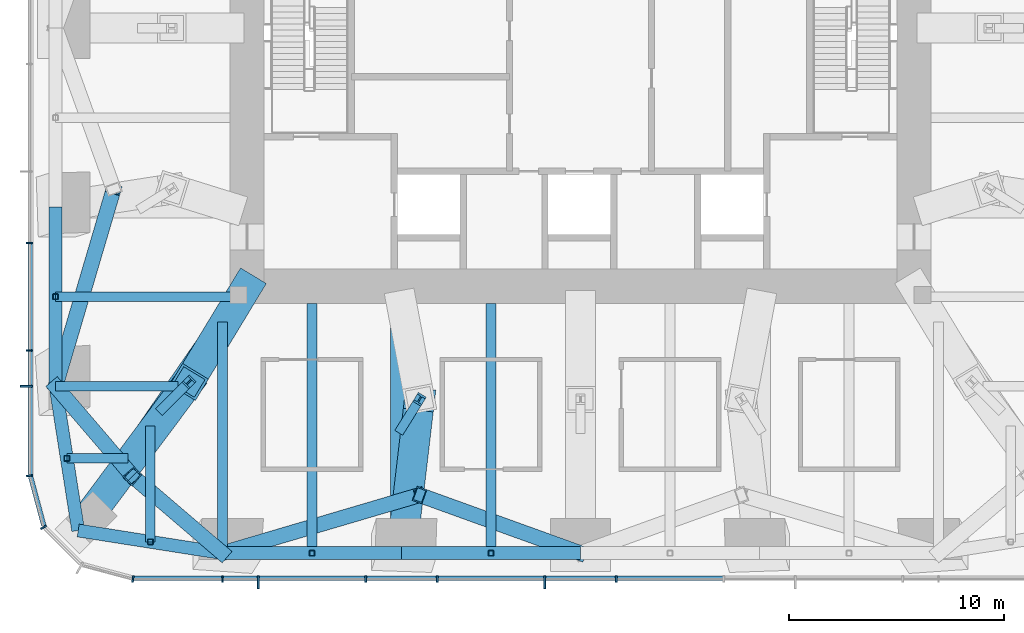
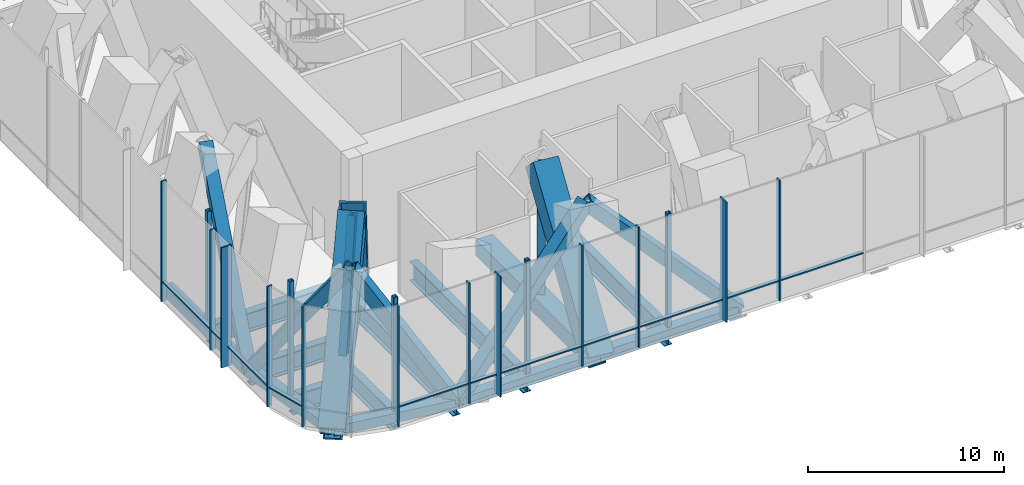
# One storey, part 2 of 16: 45 members, 7 beams, 3 elements without a shape of their own.
"""IFC4 building model written with IfcOpenShell, lengths in metres."""

from ifc_helpers import new_model, si_unit, direction, frame, origin, origin_2d, place, context, subcontext, project, spatial, rectangle, hollow_rectangle, i_section, extrude, material, material_profile, profile_set, type_object, element, aggregate, save


model = new_model("IFC4")

# Units and contexts
model_context = context("Model", 3, precision=1e-05, world=origin(), true_north=direction((0.0, 1.0)))
body_context = subcontext(model_context, "Body", "Model", "MODEL_VIEW")
ifc_project = project(units=[si_unit("LENGTHUNIT", "METRE"), si_unit("AREAUNIT", "SQUARE_METRE"), si_unit("VOLUMEUNIT", "CUBIC_METRE"), si_unit("PLANEANGLEUNIT", "RADIAN"), si_unit("MASSUNIT", "GRAM", prefix="KILO")], contexts=[model_context])

# Site, building, storey
site_placement = place(None, origin())
site = spatial("IfcSite", under=ifc_project, at=site_placement, CompositionType="ELEMENT")
building_placement = place(site_placement, origin())
building = spatial("IfcBuilding", under=site, at=building_placement, Name="Khuree Lantern Residences", CompositionType="ELEMENT")
storey_placement = place(building_placement, frame((0.0, 0.0, 278.25)))
storey = spatial("IfcBuildingStorey", under=building, at=storey_placement, Name="L70", CompositionType="ELEMENT", Elevation=278.25)

# Beams
ifc_material_1 = material(Name="Steel S355", Category="steel")
ifc_material_profile_1 = material_profile(ifc_material_1, i_section(OverallWidth=0.449951171875, OverallDepth=1.199951171875, WebThickness=0.02490234375, FlangeThickness=0.044921875, at=origin_2d()), Name="WELDED I 1200X450X25X45")
ifc_profile_set_1 = profile_set([ifc_material_profile_1], Name="Steel S355")
beam_type_1 = type_object("IfcBeamType", Name="B-70 SECONDARY BEAM WELDED I 1200X450X25X45", PredefinedType="BEAM", material=ifc_profile_set_1)
for number, where, z_axis, x_axis, name in (
    (1, (-4.159912109375, -24.39990234375, -0.949951171875), (0.0, 1.0, 0.0), (-1.0, 0.0, 0.0), "Secondary beam S4"),
    (2, (-12.47998046875, -24.39990234375, -0.949951171875), (0.0, 1.0, 0.0), (-1.0, 0.0, 0.0), "Secondary beam S5"),
):
    element("IfcBeam", number, at=place(storey_placement, frame(where, z_axis=z_axis, x_axis=x_axis)), inside=storey, type_object=beam_type_1, Name=name, PredefinedType="BEAM", context=body_context, shape_type="SweptSolid", body=[
        extrude(i_section(OverallWidth=0.449951171875, OverallDepth=1.199951171875, WebThickness=0.02490234375, FlangeThickness=0.044921875, at=origin_2d()), origin(), (0.0, 0.0, 1.0), 11.599853515625),
    ])
beam_1_placement = place(storey_placement, frame((-19.992919921875, -23.872802734375, -0.949951171875), z_axis=(0.0, 1.0, 0.0), x_axis=(-1.0, 0.0, 0.0)))
element("IfcBeam", 3, at=beam_1_placement, inside=storey, type_object=beam_type_1, Name="Secondary beam S6", PredefinedType="BEAM", context=body_context, shape_type="SweptSolid", body=[
    extrude(i_section(OverallWidth=0.449951171875, OverallDepth=1.199951171875, WebThickness=0.02490234375, FlangeThickness=0.044921875, at=origin_2d()), origin(), (0.0, 0.0, 1.0), 5.375732421875),
])
beam_2_placement = place(storey_placement, frame((-23.872802734375, -19.992919921875, -0.949951171875), z_axis=(1.0, 0.0, 0.0), x_axis=(0.0, 1.0, 0.0)))
element("IfcBeam", 4, at=beam_2_placement, inside=storey, type_object=beam_type_1, Name="Secondary beam W1", PredefinedType="BEAM", context=body_context, shape_type="SweptSolid", body=[
    extrude(i_section(OverallWidth=0.449951171875, OverallDepth=1.199951171875, WebThickness=0.02490234375, FlangeThickness=0.044921875, at=origin_2d()), origin(), (0.0, 0.0, 1.0), 2.845703125),
])
beam_3_placement = place(storey_placement, frame((-24.39990234375, -12.47998046875, -0.949951171875), z_axis=(1.0, 0.0, 0.0), x_axis=(0.0, 1.0, 0.0)))
element("IfcBeam", 5, at=beam_3_placement, inside=storey, type_object=beam_type_1, Name="Secondary beam W2", PredefinedType="BEAM", context=body_context, shape_type="SweptSolid", body=[
    extrude(i_section(OverallWidth=0.449951171875, OverallDepth=1.199951171875, WebThickness=0.02490234375, FlangeThickness=0.044921875, at=origin_2d()), origin(), (0.0, 0.0, 1.0), 8.56787109375),
])

# Members
ifc_material_profile_2 = material_profile(ifc_material_1, hollow_rectangle(XDim=0.699951171875, YDim=0.699951171875, WallThickness=0.06005859375, at=origin_2d()), Name="WELDED BOX 700X700X60")
ifc_profile_set_2 = profile_set([ifc_material_profile_2], Name="Steel S355")
member_type_1 = type_object("IfcMemberType", Name="BD-70 BELT TRUSS DIAGONAL WELDED BOX 700X700X60", PredefinedType="BRACE", material=ifc_profile_set_2)
member_1_placement = place(storey_placement, frame((0.0, -24.39990234375, -0.64990234375), z_axis=(-0.680004918854, 0.245452522932, 0.690902575853), x_axis=(-0.339516210301, -0.940600203563, 0.0)))
element("IfcMember", 6, at=member_1_placement, inside=storey, type_object=member_type_1, Name="Belt truss diagonal S4", PredefinedType="BRACE", context=body_context, shape_type="SweptSolid", body=[
    extrude(hollow_rectangle(XDim=0.699951171875, YDim=0.699951171875, WallThickness=0.06005859375, at=origin_2d()), origin(), (0.0, 0.0, 1.0), 11.0),
])
member_2_placement = place(storey_placement, frame((-7.47998046875, -21.699951171875, 6.949951171875), z_axis=(-0.750531400006, -0.22122462626, -0.622705614509), x_axis=(0.282731000098, -0.959199239774, 0.0)))
element("IfcMember", 7, at=member_2_placement, inside=storey, type_object=member_type_1, Name="Belt truss diagonal S5", PredefinedType="BRACE", context=body_context, shape_type="SweptSolid", body=[
    extrude(hollow_rectangle(XDim=0.699951171875, YDim=0.699951171875, WallThickness=0.06005859375, at=origin_2d()), origin(), (0.0, 0.0, 1.0), 12.20458984375),
])
for number, where, z_axis, x_axis, name in (
    (8, (-16.639892578125, -24.39990234375, -0.64990234375), (-0.445616030169, 0.381376760099, 0.809924762254), (-0.650221301247, -0.759744864678, 0.0), "Belt truss diagonal S6"),
    (9, (-20.8212890625, -20.8212890625, 6.949951171875), (-0.381376760099, 0.445616030169, -0.809924762254), (-0.759744864678, -0.650221301247, 0.0), "Belt truss diagonal W1"),
):
    element("IfcMember", number, at=place(storey_placement, frame(where, z_axis=z_axis, x_axis=x_axis)), inside=storey, type_object=member_type_1, Name=name, PredefinedType="BRACE", context=body_context, shape_type="SweptSolid", body=[
        extrude(hollow_rectangle(XDim=0.699951171875, YDim=0.699951171875, WallThickness=0.06005859375, at=origin_2d()), origin(), (0.0, 0.0, 1.0), 9.38330078125),
    ])
member_3_placement = place(storey_placement, frame((-24.39990234375, -16.639892578125, -0.64990234375), z_axis=(0.22122462626, 0.750531400006, 0.622705614509), x_axis=(-0.959199239774, 0.282731000098, 0.0)))
element("IfcMember", 10, at=member_3_placement, inside=storey, type_object=member_type_1, Name="Belt truss diagonal W2", PredefinedType="BRACE", context=body_context, shape_type="SweptSolid", body=[
    extrude(hollow_rectangle(XDim=0.699951171875, YDim=0.699951171875, WallThickness=0.06005859375, at=origin_2d()), origin(), (0.0, 0.0, 1.0), 12.20458984375),
])
ifc_material_profile_3 = material_profile(ifc_material_1, hollow_rectangle(XDim=0.60009765625, YDim=0.60009765625, WallThickness=0.050048828125, at=origin_2d()), Name="WELDED BOX 600X600X50")
ifc_profile_set_3 = profile_set([ifc_material_profile_3], Name="Steel S355")
member_type_2 = type_object("IfcMemberType", Name="BT-70 BELT TRUSS CHORD WELDED BOX 600X600X50", PredefinedType="CHORD", material=ifc_profile_set_3)
member_4_placement = place(storey_placement, frame((0.0, -24.39990234375, -0.64990234375), z_axis=(-1.0, 0.0, 0.0), x_axis=(0.0, -1.0, 0.0)))
element("IfcMember", 11, at=member_4_placement, inside=storey, type_object=member_type_2, Name="Belt truss chord S4", PredefinedType="CHORD", context=body_context, shape_type="SweptSolid", body=[
    extrude(hollow_rectangle(XDim=0.60009765625, YDim=0.60009765625, WallThickness=0.050048828125, at=origin_2d()), origin(), (0.0, 0.0, 1.0), 8.320068359375),
])
member_5_placement = place(storey_placement, frame((-8.320068359375, -24.39990234375, -0.64990234375), z_axis=(-1.0, 0.0, 0.0), x_axis=(0.0, -1.0, 0.0)))
element("IfcMember", 12, at=member_5_placement, inside=storey, type_object=member_type_2, Name="Belt truss chord S5", PredefinedType="CHORD", context=body_context, shape_type="SweptSolid", body=[
    extrude(hollow_rectangle(XDim=0.60009765625, YDim=0.60009765625, WallThickness=0.050048828125, at=origin_2d()), origin(), (0.0, 0.0, 1.0), 8.31982421875),
])
for number, where, z_axis, x_axis, name in (
    (13, (-16.639892578125, -24.39990234375, -0.64990234375), (-0.98786743189, 0.155299507442, 0.0), (-0.155299507442, -0.98786743189, 0.0), "Belt truss chord S6"),
    (14, (-23.345703125, -23.345703125, -0.64990234375), (-0.155299507442, 0.98786743189, 0.0), (-0.98786743189, -0.155299507442, 0.0), "Belt truss chord W1"),
):
    element("IfcMember", number, at=place(storey_placement, frame(where, z_axis=z_axis, x_axis=x_axis)), inside=storey, type_object=member_type_2, Name=name, PredefinedType="CHORD", context=body_context, shape_type="SweptSolid", body=[
        extrude(hollow_rectangle(XDim=0.60009765625, YDim=0.60009765625, WallThickness=0.050048828125, at=origin_2d()), origin(), (0.0, 0.0, 1.0), 6.7880859375),
    ])
member_6_placement = place(storey_placement, frame((-24.39990234375, -16.639892578125, -0.64990234375), z_axis=(0.0, 1.0, 0.0), x_axis=(-1.0, 0.0, 0.0)))
element("IfcMember", 15, at=member_6_placement, inside=storey, type_object=member_type_2, Name="Belt truss chord W2", PredefinedType="CHORD", context=body_context, shape_type="SweptSolid", body=[
    extrude(hollow_rectangle(XDim=0.60009765625, YDim=0.60009765625, WallThickness=0.050048828125, at=origin_2d()), origin(), (0.0, 0.0, 1.0), 8.31982421875),
])

# Curtain wall, member
ifc_material_2 = material(Name="Bronze anodised aluminium", Category="aluminium")
curtain_wall_type = type_object("IfcCurtainWallType", Name="CW-G PLANT STOREY LOUVRED CURTAIN WALL", PredefinedType="USERDEFINED", material=ifc_material_2)
curtain_wall_1_placement = place(storey_placement, origin())
curtain_wall_1 = element("IfcCurtainWall", 16, at=curtain_wall_1_placement, inside=storey, type_object=curtain_wall_type, Name="L70 WEST FACE CURTAIN WALL", ObjectType="Louvred curtain wall", PredefinedType="USERDEFINED")
ifc_material_profile_4 = material_profile(ifc_material_2, rectangle(XDim=0.080078125, YDim=0.60009765625, at=origin_2d()), Name="F2 80X600")
ifc_profile_set_4 = profile_set([ifc_material_profile_4], Name="Bronze anodised aluminium")
member_type_3 = type_object("IfcMemberType", Name="F2 BRONZE FIN MULLION PLANT 80X600", PredefinedType="MULLION", material=ifc_profile_set_4)
member_7_placement = place(storey_placement, frame((-25.75, -16.639892578125, 0.0), z_axis=(0.0, 0.0, 1.0), x_axis=(0.0, -1.0, 0.0)))
member_7 = element("IfcMember", 17, at=member_7_placement, type_object=member_type_3, Name="L70 WEST FACE FIN MULLION 42", PredefinedType="MULLION", context=body_context, shape_type="SweptSolid", body=[
    extrude(rectangle(XDim=0.080078125, YDim=0.60009765625, at=origin_2d()), origin(), (0.0, 0.0, 1.0), 7.5),
])

# Curtain wall, members
curtain_wall_2_placement = place(storey_placement, origin())
curtain_wall_2 = element("IfcCurtainWall", 18, at=curtain_wall_2_placement, inside=storey, type_object=curtain_wall_type, Name="L70 SOUTH FACE CURTAIN WALL", ObjectType="Louvred curtain wall", PredefinedType="USERDEFINED")
member_8_placement = place(storey_placement, frame((-14.97607421875, -25.75, 0.0), z_axis=(0.0, 0.0, 1.0), x_axis=(1.0, 0.0, 0.0)))
member_8 = element("IfcMember", 19, at=member_8_placement, type_object=member_type_3, Name="L70 SOUTH FACE FIN MULLION 48", PredefinedType="MULLION", context=body_context, shape_type="SweptSolid", body=[
    extrude(rectangle(XDim=0.080078125, YDim=0.60009765625, at=origin_2d()), origin(), (0.0, 0.0, 1.0), 7.5),
])
member_9_placement = place(storey_placement, frame((-1.6640625, -25.75, 0.0), z_axis=(0.0, 0.0, 1.0), x_axis=(1.0, 0.0, 0.0)))
member_9 = element("IfcMember", 20, at=member_9_placement, type_object=member_type_3, Name="L70 SOUTH FACE FIN MULLION 51", PredefinedType="MULLION", context=body_context, shape_type="SweptSolid", body=[
    extrude(rectangle(XDim=0.080078125, YDim=0.60009765625, at=origin_2d()), origin(), (0.0, 0.0, 1.0), 7.5),
])

# Beams
ifc_material_profile_5 = material_profile(ifc_material_1, i_section(OverallWidth=0.449951171875, OverallDepth=1.199951171875, WebThickness=0.02490234375, FlangeThickness=0.044921875, at=origin_2d()), Name="WELDED I 1200X450X25X45")
ifc_profile_set_5 = profile_set([ifc_material_profile_5], Name="Steel S355")
beam_type_2 = type_object("IfcBeamType", Name="G-70 GIRDER WELDED I 1200X450X25X45", PredefinedType="BEAM", material=ifc_profile_set_5)
beam_4_placement = place(storey_placement, frame((-16.639892578125, -24.39990234375, -0.949951171875), z_axis=(0.0, 1.0, 0.0), x_axis=(-1.0, 0.0, 0.0)))
element("IfcBeam", 21, at=beam_4_placement, inside=storey, type_object=beam_type_2, Name="Girder S5", PredefinedType="BEAM", context=body_context, shape_type="SweptSolid", body=[
    extrude(i_section(OverallWidth=0.449951171875, OverallDepth=1.199951171875, WebThickness=0.02490234375, FlangeThickness=0.044921875, at=origin_2d()), origin(), (0.0, 0.0, 1.0), 10.751220703125),
])
beam_5_placement = place(storey_placement, frame((-24.39990234375, -16.639892578125, -0.949951171875), z_axis=(1.0, 0.0, 0.0), x_axis=(0.0, 1.0, 0.0)))
element("IfcBeam", 22, at=beam_5_placement, inside=storey, type_object=beam_type_2, Name="Girder W1", PredefinedType="BEAM", context=body_context, shape_type="SweptSolid", body=[
    extrude(i_section(OverallWidth=0.449951171875, OverallDepth=1.199951171875, WebThickness=0.02490234375, FlangeThickness=0.044921875, at=origin_2d()), origin(), (0.0, 0.0, 1.0), 5.69140625),
])

# Member
ifc_material_profile_6 = material_profile(ifc_material_2, rectangle(XDim=0.080078125, YDim=0.300048828125, at=origin_2d()), Name="M2 80X300")
ifc_profile_set_6 = profile_set([ifc_material_profile_6], Name="Bronze anodised aluminium")
member_type_4 = type_object("IfcMemberType", Name="MULLION M2 PLANT 80X300", PredefinedType="MULLION", material=ifc_profile_set_6)
member_10_placement = place(storey_placement, frame((-25.60009765625, -9.98388671875, 0.0), z_axis=(0.0, 0.0, 1.0), x_axis=(0.0, -1.0, 0.0)))
member_10 = element("IfcMember", 23, at=member_10_placement, type_object=member_type_4, Name="L70 WEST FACE MULLION 40", PredefinedType="MULLION", context=body_context, shape_type="SweptSolid", body=[
    extrude(rectangle(XDim=0.080078125, YDim=0.300048828125, at=origin_2d()), origin(), (0.0, 0.0, 1.0), 7.5),
])

member_11_placement = place(storey_placement, frame((-25.60009765625, -14.97607421875, 0.0), z_axis=(0.0, 0.0, 1.0), x_axis=(0.0, -1.0, 0.0)))
member_11 = element("IfcMember", 24, at=member_11_placement, type_object=member_type_4, Name="L70 WEST FACE MULLION 41", PredefinedType="MULLION", context=body_context, shape_type="SweptSolid", body=[
    extrude(rectangle(XDim=0.080078125, YDim=0.300048828125, at=origin_2d()), origin(), (0.0, 0.0, 1.0), 7.5),
])

# Curtain wall, members
curtain_wall_3_placement = place(storey_placement, origin())
curtain_wall_3 = element("IfcCurtainWall", 25, at=curtain_wall_3_placement, inside=storey, type_object=curtain_wall_type, Name="L70 SOUTH-WEST CORNER CURTAIN WALL", ObjectType="Louvred curtain wall", PredefinedType="USERDEFINED")
member_12_placement = place(storey_placement, frame((-25.601318359375, -20.80029296875, 0.0), z_axis=(0.0, 0.0, 1.0), x_axis=(0.130526180298, -0.991444862943, 0.0)))
member_12 = element("IfcMember", 26, at=member_12_placement, type_object=member_type_4, Name="L70 SOUTH-WEST CORNER MULLION 43", PredefinedType="MULLION", context=body_context, shape_type="SweptSolid", body=[
    extrude(rectangle(XDim=0.080078125, YDim=0.300048828125, at=origin_2d()), origin(), (0.0, 0.0, 1.0), 7.5),
])
member_13_placement = place(storey_placement, frame((-24.95703125, -23.199951171875, 0.0), z_axis=(0.0, 0.0, 1.0), x_axis=(0.499999989586, -0.866025409797, 0.0)))
member_13 = element("IfcMember", 27, at=member_13_placement, type_object=member_type_4, Name="L70 SOUTH-WEST CORNER MULLION 44", PredefinedType="MULLION", context=body_context, shape_type="SweptSolid", body=[
    extrude(rectangle(XDim=0.080078125, YDim=0.300048828125, at=origin_2d()), origin(), (0.0, 0.0, 1.0), 7.5),
])

# Member
member_14_placement = place(storey_placement, frame((-20.80029296875, -25.601318359375, 0.0), z_axis=(0.0, 0.0, 1.0), x_axis=(0.991444862943, -0.130526180298, 0.0)))
member_14 = element("IfcMember", 28, at=member_14_placement, type_object=member_type_4, Name="L70 SOUTH FACE MULLION 46", PredefinedType="MULLION", context=body_context, shape_type="SweptSolid", body=[
    extrude(rectangle(XDim=0.080078125, YDim=0.300048828125, at=origin_2d()), origin(), (0.0, 0.0, 1.0), 7.5),
])

member_15_placement = place(storey_placement, frame((-16.639892578125, -25.60009765625, 0.0), z_axis=(0.0, 0.0, 1.0), x_axis=(1.0, 0.0, 0.0)))
member_15 = element("IfcMember", 29, at=member_15_placement, type_object=member_type_4, Name="L70 SOUTH FACE MULLION 47", PredefinedType="MULLION", context=body_context, shape_type="SweptSolid", body=[
    extrude(rectangle(XDim=0.080078125, YDim=0.300048828125, at=origin_2d()), origin(), (0.0, 0.0, 1.0), 7.5),
])

member_16_placement = place(storey_placement, frame((-9.98388671875, -25.60009765625, 0.0), z_axis=(0.0, 0.0, 1.0), x_axis=(1.0, 0.0, 0.0)))
member_16 = element("IfcMember", 30, at=member_16_placement, type_object=member_type_4, Name="L70 SOUTH FACE MULLION 49", PredefinedType="MULLION", context=body_context, shape_type="SweptSolid", body=[
    extrude(rectangle(XDim=0.080078125, YDim=0.300048828125, at=origin_2d()), origin(), (0.0, 0.0, 1.0), 7.5),
])

member_17_placement = place(storey_placement, frame((-6.656005859375, -25.60009765625, 0.0), z_axis=(0.0, 0.0, 1.0), x_axis=(1.0, 0.0, 0.0)))
member_17 = element("IfcMember", 31, at=member_17_placement, type_object=member_type_4, Name="L70 SOUTH FACE MULLION 50", PredefinedType="MULLION", context=body_context, shape_type="SweptSolid", body=[
    extrude(rectangle(XDim=0.080078125, YDim=0.300048828125, at=origin_2d()), origin(), (0.0, 0.0, 1.0), 7.5),
])

member_18_placement = place(storey_placement, frame((1.6640625, -25.60009765625, 0.0), z_axis=(0.0, 0.0, 1.0), x_axis=(1.0, 0.0, 0.0)))
member_18 = element("IfcMember", 32, at=member_18_placement, type_object=member_type_4, Name="L70 SOUTH FACE MULLION 52", PredefinedType="MULLION", context=body_context, shape_type="SweptSolid", body=[
    extrude(rectangle(XDim=0.080078125, YDim=0.300048828125, at=origin_2d()), origin(), (0.0, 0.0, 1.0), 7.5),
])

# Members
ifc_material_profile_7 = material_profile(ifc_material_1, hollow_rectangle(XDim=1.39990234375, YDim=1.39990234375, WallThickness=0.1201171875, at=origin_2d()), Name="WELDED BOX 1400X1400X120")
ifc_profile_set_7 = profile_set([ifc_material_profile_7], Name="Steel S355")
member_type_5 = type_object("IfcMemberType", Name="OD-70 OUTRIGGER TRUSS DIAGONAL WELDED BOX 1400X1400X120", PredefinedType="BRACE", material=ifc_profile_set_7)
member_19_placement = place(storey_placement, frame((-15.5, -12.0, -0.85009765625), z_axis=(-0.292591683505, -0.482667556929, 0.825482971497), x_axis=(0.855146082059, -0.518387093146, 0.0)))
element("IfcMember", 33, at=member_19_placement, inside=storey, type_object=member_type_5, Name="Outrigger diagonal SW core side", PredefinedType="BRACE", context=body_context, shape_type="SweptSolid", body=[
    extrude(hollow_rectangle(XDim=1.39990234375, YDim=1.39990234375, WallThickness=0.1201171875, at=origin_2d()), origin(), (0.0, 0.0, 1.0), 9.206787109375),
])
member_20_placement = place(storey_placement, frame((-18.19384765625, -16.44384765625, 6.75), z_axis=(-0.448515604261, -0.600868928654, -0.661657224938), x_axis=(0.801365374219, -0.598175172507, 0.0)))
element("IfcMember", 34, at=member_20_placement, inside=storey, type_object=member_type_5, Name="Outrigger diagonal SW column side", PredefinedType="BRACE", context=body_context, shape_type="SweptSolid", body=[
    extrude(hollow_rectangle(XDim=1.39990234375, YDim=1.39990234375, WallThickness=0.1201171875, at=origin_2d()), origin(), (0.0, 0.0, 1.0), 11.486572265625),
])
member_21_placement = place(storey_placement, frame((-7.47998046875, -17.25, 6.75), z_axis=(-0.080249541393, -0.682995660919, -0.726000646193), x_axis=(0.99316795482, -0.116693673856, 0.0)))
element("IfcMember", 35, at=member_21_placement, inside=storey, type_object=member_type_5, Name="Outrigger diagonal S4 column side", PredefinedType="BRACE", context=body_context, shape_type="SweptSolid", body=[
    extrude(hollow_rectangle(XDim=1.39990234375, YDim=1.39990234375, WallThickness=0.1201171875, at=origin_2d()), origin(), (0.0, 0.0, 1.0), 10.468505859375),
])
ifc_material_profile_8 = material_profile(ifc_material_1, i_section(OverallWidth=0.431884765625, OverallDepth=0.498046875, WebThickness=0.0556640625, FlangeThickness=0.0888671875, FilletRadius=0.014892578125, at=origin_2d()), Name="HD 400X744")
ifc_profile_set_8 = profile_set([ifc_material_profile_8], Name="Steel S355")
member_type_6 = type_object("IfcMemberType", Name="OP-70 OUTRIGGER TRUSS POST HD 400X744", PredefinedType="POST", material=ifc_profile_set_8)
member_22_placement = place(storey_placement, frame((-19.4228515625, -17.6728515625, -0.85009765625), z_axis=(0.157639261852, 0.157639261852, 0.974833178675), x_axis=(-0.707106781187, 0.707106781187, 0.0)))
element("IfcMember", 36, at=member_22_placement, inside=storey, type_object=member_type_6, Name="Outrigger post SW", PredefinedType="POST", context=body_context, shape_type="SweptSolid", body=[
    extrude(i_section(OverallWidth=0.431884765625, OverallDepth=0.498046875, WebThickness=0.0556640625, FlangeThickness=0.0888671875, FilletRadius=0.014892578125, at=origin_2d()), origin(), (0.0, 0.0, 1.0), 7.79638671875),
])
member_23_placement = place(storey_placement, frame((-8.320068359375, -18.60009765625, -0.85009765625), z_axis=(0.108193731161, 0.173877167487, 0.9788058271), x_axis=(-0.849048951527, 0.528314184847, 0.0)))
element("IfcMember", 37, at=member_23_placement, inside=storey, type_object=member_type_6, Name="Outrigger post S4", PredefinedType="POST", context=body_context, shape_type="SweptSolid", body=[
    extrude(i_section(OverallWidth=0.431884765625, OverallDepth=0.498046875, WebThickness=0.0556640625, FlangeThickness=0.0888671875, FilletRadius=0.014892578125, at=origin_2d()), origin(), (0.0, 0.0, 1.0), 7.7646484375),
])
ifc_material_profile_9 = material_profile(ifc_material_1, hollow_rectangle(XDim=1.0, YDim=1.0, WallThickness=0.080078125, at=origin_2d()), Name="WELDED BOX 1000X1000X80")
ifc_profile_set_9 = profile_set([ifc_material_profile_9], Name="Steel S355")
member_type_7 = type_object("IfcMemberType", Name="OT-70 OUTRIGGER TRUSS CHORD WELDED BOX 1000X1000X80", PredefinedType="CHORD", material=ifc_profile_set_9)
member_24_placement = place(storey_placement, frame((-8.320068359375, -24.39990234375, -0.85009765625), z_axis=(0.0, 1.0, 0.0), x_axis=(-1.0, 0.0, 0.0)))
element("IfcMember", 38, at=member_24_placement, inside=storey, type_object=member_type_7, Name="Outrigger chord S4", PredefinedType="CHORD", context=body_context, shape_type="SweptSolid", body=[
    extrude(hollow_rectangle(XDim=1.0, YDim=1.0, WallThickness=0.080078125, at=origin_2d()), origin(), (0.0, 0.0, 1.0), 11.599853515625),
])
member_25_placement = place(storey_placement, frame((-23.345703125, -23.345703125, -0.85009765625), z_axis=(0.56876813501, 0.822497907959, 0.0), x_axis=(-0.822497907959, 0.56876813501, 0.0)))
element("IfcMember", 39, at=member_25_placement, inside=storey, type_object=member_type_7, Name="Outrigger chord SW", PredefinedType="CHORD", context=body_context, shape_type="SweptSolid", body=[
    extrude(hollow_rectangle(XDim=1.0, YDim=1.0, WallThickness=0.080078125, at=origin_2d()), origin(), (0.0, 0.0, 1.0), 13.794189453125),
])
ifc_material_profile_10 = material_profile(ifc_material_1, hollow_rectangle(XDim=0.25, YDim=0.25, WallThickness=0.012451171875, InnerFilletRadius=0.012451171875, OuterFilletRadius=0.018798828125, at=origin_2d()), Name="SHS 250X250X12.5")
ifc_profile_set_10 = profile_set([ifc_material_profile_10], Name="Steel S355")
member_type_8 = type_object("IfcMemberType", Name="TP1 TERRACE POST SHS 250X250X12.5", PredefinedType="POST", material=ifc_profile_set_10)
for number, where, z_axis, x_axis, name in (
    (40, (-4.159912109375, -24.39990234375, -0.35009765625), (0.0, 0.0, 1.0), (1.0, 0.0, 0.0), "Terrace post S4"),
    (41, (-12.47998046875, -24.39990234375, -0.35009765625), (0.0, 0.0, 1.0), (1.0, 0.0, 0.0), "Terrace post S5"),
    (42, (-19.992919921875, -23.872802734375, -0.35009765625), (0.0, 0.0, 1.0), (1.0, 0.0, 0.0), "Terrace post S6"),
    (43, (-23.872802734375, -19.992919921875, -0.35009765625), (0.0, 0.0, 1.0), (1.0, 0.0, 0.0), "Terrace post W1"),
    (44, (-24.39990234375, -12.47998046875, -0.35009765625), (0.0, 0.0, 1.0), (1.0, 0.0, 0.0), "Terrace post W2"),
):
    element("IfcMember", number, at=place(storey_placement, frame(where, z_axis=z_axis, x_axis=x_axis)), inside=storey, type_object=member_type_8, Name=name, PredefinedType="POST", context=body_context, shape_type="SweptSolid", body=[
        extrude(hollow_rectangle(XDim=0.25, YDim=0.25, WallThickness=0.012451171875, InnerFilletRadius=0.012451171875, OuterFilletRadius=0.018798828125, at=origin_2d()), origin(), (0.0, 0.0, 1.0), 7.10009765625),
    ])

# Member
ifc_material_profile_11 = material_profile(ifc_material_2, rectangle(XDim=0.219970703125, YDim=0.080078125, at=origin_2d()), Name="T2 220X80")
ifc_profile_set_11 = profile_set([ifc_material_profile_11], Name="Bronze anodised aluminium")
member_type_9 = type_object("IfcMemberType", Name="TRANSOM T2 PLANT 220X80", PredefinedType="USERDEFINED", material=ifc_profile_set_11)
member_26_placement = place(storey_placement, frame((-25.570068359375, -10.02392578125, 1.199951171875), z_axis=(0.0, -1.0, 0.0), x_axis=(1.0, 0.0, 0.0)))
member_26 = element("IfcMember", 45, at=member_26_placement, type_object=member_type_9, Name="L70 WEST FACE TRANSOM 40.1", ObjectType="Transom", PredefinedType="USERDEFINED", context=body_context, shape_type="SweptSolid", body=[
    extrude(rectangle(XDim=0.219970703125, YDim=0.080078125, at=origin_2d()), origin(), (0.0, 0.0, 1.0), 4.912109375),
])

member_27_placement = place(storey_placement, frame((-25.570068359375, -15.01611328125, 1.199951171875), z_axis=(0.0, -1.0, 0.0), x_axis=(1.0, 0.0, 0.0)))
member_27 = element("IfcMember", 46, at=member_27_placement, type_object=member_type_9, Name="L70 WEST FACE TRANSOM 41.1", ObjectType="Transom", PredefinedType="USERDEFINED", context=body_context, shape_type="SweptSolid", body=[
    extrude(rectangle(XDim=0.219970703125, YDim=0.080078125, at=origin_2d()), origin(), (0.0, 0.0, 1.0), 1.583984375),
])

member_28_placement = place(storey_placement, frame((-25.570068359375, -16.679931640625, 1.199951171875), z_axis=(0.0, -1.0, 0.0), x_axis=(1.0, 0.0, 0.0)))
member_28 = element("IfcMember", 47, at=member_28_placement, type_object=member_type_9, Name="L70 WEST FACE TRANSOM 42.1", ObjectType="Transom", PredefinedType="USERDEFINED", context=body_context, shape_type="SweptSolid", body=[
    extrude(rectangle(XDim=0.219970703125, YDim=0.080078125, at=origin_2d()), origin(), (0.0, 0.0, 1.0), 4.061279296875),
])

aggregate(curtain_wall_1, [member_10, member_11, member_7, member_26, member_27, member_28])

member_29_placement = place(storey_placement, frame((-25.555908203125, -20.84912109375, 1.199951171875), z_axis=(0.258865997029, -0.965913244335, 0.0), x_axis=(0.965913244335, 0.258865997029, 0.0)))
member_29 = element("IfcMember", 48, at=member_29_placement, type_object=member_type_9, Name="L70 SOUTH-WEST CORNER TRANSOM 43.1", ObjectType="Transom", PredefinedType="USERDEFINED", context=body_context, shape_type="SweptSolid", body=[
    extrude(rectangle(XDim=0.219970703125, YDim=0.080078125, at=origin_2d()), origin(), (0.0, 0.0, 1.0), 2.348388671875),
])

aggregate(curtain_wall_3, [member_12, member_13, member_29])

member_30_placement = place(storey_placement, frame((-20.7412109375, -25.570068359375, 1.199951171875), z_axis=(1.0, 0.0, 0.0), x_axis=(0.0, 1.0, 0.0)))
member_30 = element("IfcMember", 49, at=member_30_placement, type_object=member_type_9, Name="L70 SOUTH FACE TRANSOM 46.1", ObjectType="Transom", PredefinedType="USERDEFINED", context=body_context, shape_type="SweptSolid", body=[
    extrude(rectangle(XDim=0.219970703125, YDim=0.080078125, at=origin_2d()), origin(), (0.0, 0.0, 1.0), 4.061279296875),
])

member_31_placement = place(storey_placement, frame((-16.60009765625, -25.570068359375, 1.199951171875), z_axis=(1.0, 0.0, 0.0), x_axis=(0.0, 1.0, 0.0)))
member_31 = element("IfcMember", 50, at=member_31_placement, type_object=member_type_9, Name="L70 SOUTH FACE TRANSOM 47.1", ObjectType="Transom", PredefinedType="USERDEFINED", context=body_context, shape_type="SweptSolid", body=[
    extrude(rectangle(XDim=0.219970703125, YDim=0.080078125, at=origin_2d()), origin(), (0.0, 0.0, 1.0), 1.583984375),
])

member_32_placement = place(storey_placement, frame((-14.93603515625, -25.570068359375, 1.199951171875), z_axis=(1.0, 0.0, 0.0), x_axis=(0.0, 1.0, 0.0)))
member_32 = element("IfcMember", 51, at=member_32_placement, type_object=member_type_9, Name="L70 SOUTH FACE TRANSOM 48.1", ObjectType="Transom", PredefinedType="USERDEFINED", context=body_context, shape_type="SweptSolid", body=[
    extrude(rectangle(XDim=0.219970703125, YDim=0.080078125, at=origin_2d()), origin(), (0.0, 0.0, 1.0), 4.912109375),
])

member_33_placement = place(storey_placement, frame((-9.944091796875, -25.570068359375, 1.199951171875), z_axis=(1.0, 0.0, 0.0), x_axis=(0.0, 1.0, 0.0)))
member_33 = element("IfcMember", 52, at=member_33_placement, type_object=member_type_9, Name="L70 SOUTH FACE TRANSOM 49.1", ObjectType="Transom", PredefinedType="USERDEFINED", context=body_context, shape_type="SweptSolid", body=[
    extrude(rectangle(XDim=0.219970703125, YDim=0.080078125, at=origin_2d()), origin(), (0.0, 0.0, 1.0), 3.248046875),
])

member_34_placement = place(storey_placement, frame((-6.615966796875, -25.570068359375, 1.199951171875), z_axis=(1.0, 0.0, 0.0), x_axis=(0.0, 1.0, 0.0)))
member_34 = element("IfcMember", 53, at=member_34_placement, type_object=member_type_9, Name="L70 SOUTH FACE TRANSOM 50.1", ObjectType="Transom", PredefinedType="USERDEFINED", context=body_context, shape_type="SweptSolid", body=[
    extrude(rectangle(XDim=0.219970703125, YDim=0.080078125, at=origin_2d()), origin(), (0.0, 0.0, 1.0), 4.911865234375),
])

member_35_placement = place(storey_placement, frame((-1.6240234375, -25.570068359375, 1.199951171875), z_axis=(1.0, 0.0, 0.0), x_axis=(0.0, 1.0, 0.0)))
member_35 = element("IfcMember", 54, at=member_35_placement, type_object=member_type_9, Name="L70 SOUTH FACE TRANSOM 51.1", ObjectType="Transom", PredefinedType="USERDEFINED", context=body_context, shape_type="SweptSolid", body=[
    extrude(rectangle(XDim=0.219970703125, YDim=0.080078125, at=origin_2d()), origin(), (0.0, 0.0, 1.0), 3.248046875),
])

member_36_placement = place(storey_placement, frame((1.7041015625, -25.570068359375, 1.199951171875), z_axis=(1.0, 0.0, 0.0), x_axis=(0.0, 1.0, 0.0)))
member_36 = element("IfcMember", 55, at=member_36_placement, type_object=member_type_9, Name="L70 SOUTH FACE TRANSOM 52.1", ObjectType="Transom", PredefinedType="USERDEFINED", context=body_context, shape_type="SweptSolid", body=[
    extrude(rectangle(XDim=0.219970703125, YDim=0.080078125, at=origin_2d()), origin(), (0.0, 0.0, 1.0), 4.911865234375),
])

aggregate(curtain_wall_2, [member_14, member_15, member_8, member_16, member_17, member_9, member_18, member_30, member_31, member_32, member_33, member_34, member_35, member_36])

save(model, "model.ifc")
